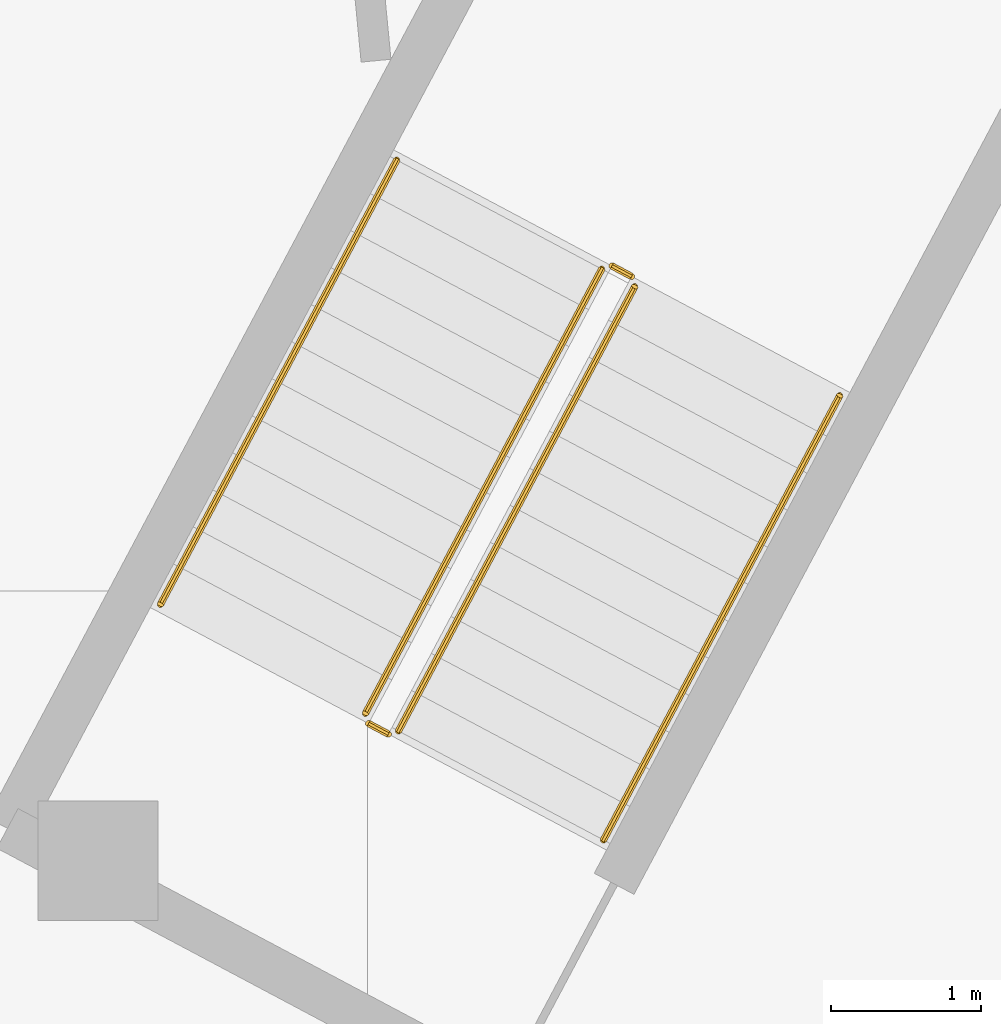
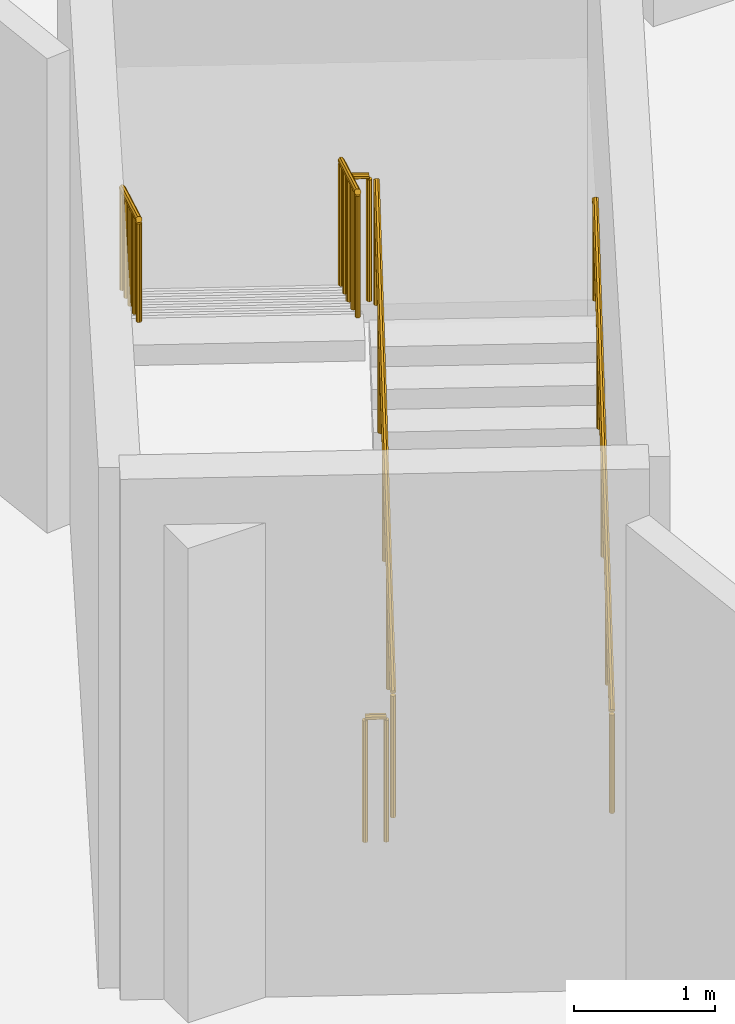
# One storey, part 26 of 29: 6 railings.
"""IFC4 building model written with IfcOpenShell, lengths in metres."""

from ifc_helpers import new_model, si_unit, direction, frame, origin, place, context, subcontext, project, spatial, polyline, outline, extrude, material, type_object, element, save


model = new_model("IFC4")

# Units and contexts
model_context = context("Model", 3, precision=1e-05, world=origin(), true_north=direction((0.0, 1.0)))
body_context = subcontext(model_context, "Body", "Model", "MODEL_VIEW")
ifc_project = project(units=[si_unit("LENGTHUNIT", "METRE"), si_unit("AREAUNIT", "SQUARE_METRE"), si_unit("VOLUMEUNIT", "CUBIC_METRE"), si_unit("PLANEANGLEUNIT", "RADIAN"), si_unit("MASSUNIT", "GRAM", prefix="KILO")], contexts=[model_context])

# Site, building, storey
site_placement = place(None, origin())
site = spatial("IfcSite", under=ifc_project, at=site_placement, CompositionType="ELEMENT")
building_placement = place(site_placement, origin())
building = spatial("IfcBuilding", under=site, at=building_placement, Name="Cormorant Relay Tower", CompositionType="ELEMENT")
storey_placement = place(building_placement, frame((0.0, 0.0, -9.0)))
storey = spatial("IfcBuildingStorey", under=building, at=storey_placement, Name="B2", CompositionType="ELEMENT", Elevation=-9.0)

# Railings
ifc_material_1 = material(Name="Steel ASTM A572 Grade 50 (Fy 345 MPa)", Category="steel")
railing_type_1 = type_object("IfcRailingType", Name="Stair guard 1100", PredefinedType="GUARDRAIL", material=ifc_material_1)
railing_1_placement = place(storey_placement, frame((11.007080078125, 45.866455078125, 0.173095703125)))
element("IfcRailing", 1, at=railing_1_placement, inside=storey, type_object=railing_type_1, Name="B2 RN1 stair guard 1", PredefinedType="GUARDRAIL", context=body_context, shape_type="SweptSolid", body=[
    extrude(outline(polyline([(0.022216796875, 0.00927734375), (0.00927734375, 0.022216796875), (-0.00927734375, 0.022216796875), (-0.022216796875, 0.00927734375), (-0.022216796875, -0.00927734375), (-0.00927734375, -0.022216796875), (0.00927734375, -0.022216796875), (0.022216796875, -0.00927734375), (0.022216796875, 0.00927734375)])), frame((0.0, 0.0, 1.076171875), z_axis=(0.399344577991, 0.75103481925, 0.525804724497), x_axis=(-0.88294160794, 0.469482818608, 0.0)), (0.0, 0.0, 1.0), 3.949951171875),
    extrude(outline(polyline([(0.019287109375, 0.008056640625), (0.008056640625, 0.019287109375), (-0.008056640625, 0.019287109375), (-0.019287109375, 0.008056640625), (-0.019287109375, -0.008056640625), (-0.008056640625, -0.019287109375), (0.008056640625, -0.019287109375), (0.019287109375, -0.008056640625), (0.019287109375, 0.008056640625)])), origin(), (0.0, 0.0, 1.0), 1.052001953125),
    extrude(outline(polyline([(0.019287109375, 0.008056640625), (0.008056640625, 0.019287109375), (-0.008056640625, 0.019287109375), (-0.019287109375, 0.008056640625), (-0.019287109375, -0.008056640625), (-0.008056640625, -0.019287109375), (0.008056640625, -0.019287109375), (0.019287109375, -0.008056640625), (0.019287109375, 0.008056640625)])), frame((0.394287109375, 0.74169921875, 0.519287109375)), (0.0, 0.0, 1.0), 1.052001953125),
    extrude(outline(polyline([(0.019287109375, 0.008056640625), (0.008056640625, 0.019287109375), (-0.008056640625, 0.019287109375), (-0.019287109375, 0.008056640625), (-0.019287109375, -0.008056640625), (-0.008056640625, -0.019287109375), (0.008056640625, -0.019287109375), (0.019287109375, -0.008056640625), (0.019287109375, 0.008056640625)])), frame((0.78857421875, 1.4833984375, 1.03857421875)), (0.0, 0.0, 1.0), 1.052001953125),
    extrude(outline(polyline([(0.019287109375, 0.008056640625), (0.008056640625, 0.019287109375), (-0.008056640625, 0.019287109375), (-0.019287109375, 0.008056640625), (-0.019287109375, -0.008056640625), (-0.008056640625, -0.019287109375), (0.008056640625, -0.019287109375), (0.019287109375, -0.008056640625), (0.019287109375, 0.008056640625)])), frame((1.18310546875, 2.224853515625, 1.5576171875)), (0.0, 0.0, 1.0), 1.052001953125),
    extrude(outline(polyline([(0.019287109375, 0.008056640625), (0.008056640625, 0.019287109375), (-0.008056640625, 0.019287109375), (-0.019287109375, 0.008056640625), (-0.019287109375, -0.008056640625), (-0.008056640625, -0.019287109375), (0.008056640625, -0.019287109375), (0.019287109375, -0.008056640625), (0.019287109375, 0.008056640625)])), frame((1.577392578125, 2.966552734375, 2.076904296875)), (0.0, 0.0, 1.0), 1.052001953125),
])
railing_2_placement = place(storey_placement, frame((12.56396484375, 48.900634765625, 2.25)))
element("IfcRailing", 2, at=railing_2_placement, inside=storey, type_object=railing_type_1, Name="B2 RN1 stair guard 2", PredefinedType="GUARDRAIL", context=body_context, shape_type="SweptSolid", body=[
    extrude(outline(polyline([(0.022216796875, 0.00927734375), (0.00927734375, 0.022216796875), (-0.00927734375, 0.022216796875), (-0.022216796875, 0.00927734375), (-0.022216796875, -0.00927734375), (-0.00927734375, -0.022216796875), (0.00927734375, -0.022216796875), (0.022216796875, -0.00927734375), (0.022216796875, 0.00927734375)])), frame((0.0, 0.0, 1.076171875), z_axis=(-0.882757634224, 0.469828648786, 0.0), x_axis=(-0.469828648786, -0.882757634224, 0.0)), (0.0, 0.0, 1.0), 0.150146484375),
    extrude(outline(polyline([(0.019287109375, 0.008056640625), (0.008056640625, 0.019287109375), (-0.008056640625, 0.019287109375), (-0.019287109375, 0.008056640625), (-0.019287109375, -0.008056640625), (-0.008056640625, -0.019287109375), (0.008056640625, -0.019287109375), (0.019287109375, -0.008056640625), (0.019287109375, 0.008056640625)])), origin(), (0.0, 0.0, 1.0), 1.052001953125),
    extrude(outline(polyline([(0.019287109375, 0.008056640625), (0.008056640625, 0.019287109375), (-0.008056640625, 0.019287109375), (-0.019287109375, 0.008056640625), (-0.019287109375, -0.008056640625), (-0.008056640625, -0.019287109375), (0.008056640625, -0.019287109375), (0.019287109375, -0.008056640625), (0.019287109375, 0.008056640625)])), frame((-0.132568359375, 0.070556640625, 0.0)), (0.0, 0.0, 1.0), 1.052001953125),
])
railing_3_placement = place(storey_placement, frame((12.36376953125, 48.950439453125, 2.423095703125)))
element("IfcRailing", 3, at=railing_3_placement, inside=storey, type_object=railing_type_1, Name="B2 RN1 stair guard 3", PredefinedType="GUARDRAIL", context=body_context, shape_type="SweptSolid", body=[
    extrude(outline(polyline([(0.022216796875, 0.00927734375), (0.00927734375, 0.022216796875), (-0.00927734375, 0.022216796875), (-0.022216796875, 0.00927734375), (-0.022216796875, -0.00927734375), (-0.00927734375, -0.022216796875), (0.00927734375, -0.022216796875), (0.022216796875, -0.00927734375), (0.022216796875, 0.00927734375)])), frame((0.0, 0.0, 1.076171875), z_axis=(-0.399326040817, -0.751061762576, 0.525780317169), x_axis=(0.882957622595, -0.46945269911, 0.0)), (0.0, 0.0, 1.0), 3.9501953125),
    extrude(outline(polyline([(0.019287109375, 0.008056640625), (0.008056640625, 0.019287109375), (-0.008056640625, 0.019287109375), (-0.019287109375, 0.008056640625), (-0.019287109375, -0.008056640625), (-0.008056640625, -0.019287109375), (0.008056640625, -0.019287109375), (0.019287109375, -0.008056640625), (0.019287109375, 0.008056640625)])), origin(), (0.0, 0.0, 1.0), 1.052001953125),
    extrude(outline(polyline([(0.019287109375, 0.008056640625), (0.008056640625, 0.019287109375), (-0.008056640625, 0.019287109375), (-0.019287109375, 0.008056640625), (-0.019287109375, -0.008056640625), (-0.008056640625, -0.019287109375), (0.008056640625, -0.019287109375), (0.019287109375, -0.008056640625), (0.019287109375, 0.008056640625)])), frame((-0.394287109375, -0.74169921875, 0.519287109375)), (0.0, 0.0, 1.0), 1.052001953125),
    extrude(outline(polyline([(0.019287109375, 0.008056640625), (0.008056640625, 0.019287109375), (-0.008056640625, 0.019287109375), (-0.019287109375, 0.008056640625), (-0.019287109375, -0.008056640625), (-0.008056640625, -0.019287109375), (0.008056640625, -0.019287109375), (0.019287109375, -0.008056640625), (0.019287109375, 0.008056640625)])), frame((-0.78857421875, -1.4833984375, 1.03857421875)), (0.0, 0.0, 1.0), 1.052001953125),
    extrude(outline(polyline([(0.019287109375, 0.008056640625), (0.008056640625, 0.019287109375), (-0.008056640625, 0.019287109375), (-0.019287109375, 0.008056640625), (-0.019287109375, -0.008056640625), (-0.008056640625, -0.019287109375), (0.008056640625, -0.019287109375), (0.019287109375, -0.008056640625), (0.019287109375, 0.008056640625)])), frame((-1.18310546875, -2.22509765625, 1.5576171875)), (0.0, 0.0, 1.0), 1.052001953125),
    extrude(outline(polyline([(0.019287109375, 0.008056640625), (0.008056640625, 0.019287109375), (-0.008056640625, 0.019287109375), (-0.019287109375, 0.008056640625), (-0.019287109375, -0.008056640625), (-0.008056640625, -0.019287109375), (0.008056640625, -0.019287109375), (0.019287109375, -0.008056640625), (0.019287109375, 0.008056640625)])), frame((-1.577392578125, -2.966796875, 2.076904296875)), (0.0, 0.0, 1.0), 1.052001953125),
])
railing_4_placement = place(storey_placement, frame((10.939453125, 45.845703125, 0.0)))
element("IfcRailing", 4, at=railing_4_placement, inside=storey, type_object=railing_type_1, Name="B2 RN1 stair guard 4", PredefinedType="GUARDRAIL", context=body_context, shape_type="SweptSolid", body=[
    extrude(outline(polyline([(0.022216796875, 0.00927734375), (0.00927734375, 0.022216796875), (-0.00927734375, 0.022216796875), (-0.022216796875, 0.00927734375), (-0.022216796875, -0.00927734375), (-0.00927734375, -0.022216796875), (0.00927734375, -0.022216796875), (0.022216796875, -0.00927734375), (0.022216796875, 0.00927734375)])), frame((0.0, 0.0, 1.076171875), z_axis=(-0.883073525669, 0.469234640946, 0.0), x_axis=(-0.469234640946, -0.883073525669, 0.0)), (0.0, 0.0, 1.0), 0.14990234375),
    extrude(outline(polyline([(0.019287109375, 0.008056640625), (0.008056640625, 0.019287109375), (-0.008056640625, 0.019287109375), (-0.019287109375, 0.008056640625), (-0.019287109375, -0.008056640625), (-0.008056640625, -0.019287109375), (0.008056640625, -0.019287109375), (0.019287109375, -0.008056640625), (0.019287109375, 0.008056640625)])), origin(), (0.0, 0.0, 1.0), 1.052001953125),
    extrude(outline(polyline([(0.019287109375, 0.008056640625), (0.008056640625, 0.019287109375), (-0.008056640625, 0.019287109375), (-0.019287109375, 0.008056640625), (-0.019287109375, -0.008056640625), (-0.008056640625, -0.019287109375), (0.008056640625, -0.019287109375), (0.019287109375, -0.008056640625), (0.019287109375, 0.008056640625)])), frame((-0.13232421875, 0.0703125, 0.0)), (0.0, 0.0, 1.0), 1.052001953125),
])
ifc_material_2 = material(Name="Steel ASTM A572 Grade 50 (Fy 345 MPa)", Category="steel")
railing_type_2 = type_object("IfcRailingType", Name="Stair handrail 900", PredefinedType="HANDRAIL", material=ifc_material_2)
railing_5_placement = place(storey_placement, frame((12.375732421875, 45.138671875, 0.173095703125)))
element("IfcRailing", 5, at=railing_5_placement, inside=storey, type_object=railing_type_2, Name="B2 RN1 stair handrail 1", PredefinedType="HANDRAIL", context=body_context, shape_type="SweptSolid", body=[
    extrude(outline(polyline([(0.022216796875, 0.00927734375), (0.00927734375, 0.022216796875), (-0.00927734375, 0.022216796875), (-0.022216796875, 0.00927734375), (-0.022216796875, -0.00927734375), (-0.00927734375, -0.022216796875), (0.00927734375, -0.022216796875), (0.022216796875, -0.00927734375), (0.022216796875, 0.00927734375)])), frame((0.0, 0.0, 0.8759765625), z_axis=(0.399326040817, 0.751061762576, 0.525780317169), x_axis=(-0.882957622595, 0.46945269911, 0.0)), (0.0, 0.0, 1.0), 3.9501953125),
    extrude(outline(polyline([(0.019287109375, 0.008056640625), (0.008056640625, 0.019287109375), (-0.008056640625, 0.019287109375), (-0.019287109375, 0.008056640625), (-0.019287109375, -0.008056640625), (-0.008056640625, -0.019287109375), (0.008056640625, -0.019287109375), (0.019287109375, -0.008056640625), (0.019287109375, 0.008056640625)])), origin(), (0.0, 0.0, 1.0), 0.851806640625),
    extrude(outline(polyline([(0.019287109375, 0.008056640625), (0.008056640625, 0.019287109375), (-0.008056640625, 0.019287109375), (-0.019287109375, 0.008056640625), (-0.019287109375, -0.008056640625), (-0.008056640625, -0.019287109375), (0.008056640625, -0.019287109375), (0.019287109375, -0.008056640625), (0.019287109375, 0.008056640625)])), frame((0.394287109375, 0.74169921875, 0.519287109375)), (0.0, 0.0, 1.0), 0.851806640625),
    extrude(outline(polyline([(0.019287109375, 0.008056640625), (0.008056640625, 0.019287109375), (-0.008056640625, 0.019287109375), (-0.019287109375, 0.008056640625), (-0.019287109375, -0.008056640625), (-0.008056640625, -0.019287109375), (0.008056640625, -0.019287109375), (0.019287109375, -0.008056640625), (0.019287109375, 0.008056640625)])), frame((0.78857421875, 1.4833984375, 1.03857421875)), (0.0, 0.0, 1.0), 0.851806640625),
    extrude(outline(polyline([(0.019287109375, 0.008056640625), (0.008056640625, 0.019287109375), (-0.008056640625, 0.019287109375), (-0.019287109375, 0.008056640625), (-0.019287109375, -0.008056640625), (-0.008056640625, -0.019287109375), (0.008056640625, -0.019287109375), (0.019287109375, -0.008056640625), (0.019287109375, 0.008056640625)])), frame((1.18310546875, 2.22509765625, 1.5576171875)), (0.0, 0.0, 1.0), 0.851806640625),
    extrude(outline(polyline([(0.019287109375, 0.008056640625), (0.008056640625, 0.019287109375), (-0.008056640625, 0.019287109375), (-0.019287109375, 0.008056640625), (-0.019287109375, -0.008056640625), (-0.008056640625, -0.019287109375), (0.008056640625, -0.019287109375), (0.019287109375, -0.008056640625), (0.019287109375, 0.008056640625)])), frame((1.577392578125, 2.966796875, 2.076904296875)), (0.0, 0.0, 1.0), 0.851806640625),
])
railing_6_placement = place(storey_placement, frame((10.9951171875, 49.67822265625, 2.423095703125)))
element("IfcRailing", 6, at=railing_6_placement, inside=storey, type_object=railing_type_2, Name="B2 RN1 stair handrail 2", PredefinedType="HANDRAIL", context=body_context, shape_type="SweptSolid", body=[
    extrude(outline(polyline([(0.022216796875, 0.00927734375), (0.00927734375, 0.022216796875), (-0.00927734375, 0.022216796875), (-0.022216796875, 0.00927734375), (-0.022216796875, -0.00927734375), (-0.00927734375, -0.022216796875), (0.00927734375, -0.022216796875), (0.022216796875, -0.00927734375), (0.022216796875, 0.00927734375)])), frame((0.0, 0.0, 0.8759765625), z_axis=(-0.399326040817, -0.751061762576, 0.525780317169), x_axis=(0.882957622595, -0.46945269911, 0.0)), (0.0, 0.0, 1.0), 3.9501953125),
    extrude(outline(polyline([(0.019287109375, 0.008056640625), (0.008056640625, 0.019287109375), (-0.008056640625, 0.019287109375), (-0.019287109375, 0.008056640625), (-0.019287109375, -0.008056640625), (-0.008056640625, -0.019287109375), (0.008056640625, -0.019287109375), (0.019287109375, -0.008056640625), (0.019287109375, 0.008056640625)])), origin(), (0.0, 0.0, 1.0), 0.851806640625),
    extrude(outline(polyline([(0.019287109375, 0.008056640625), (0.008056640625, 0.019287109375), (-0.008056640625, 0.019287109375), (-0.019287109375, 0.008056640625), (-0.019287109375, -0.008056640625), (-0.008056640625, -0.019287109375), (0.008056640625, -0.019287109375), (0.019287109375, -0.008056640625), (0.019287109375, 0.008056640625)])), frame((-0.394287109375, -0.74169921875, 0.519287109375)), (0.0, 0.0, 1.0), 0.851806640625),
    extrude(outline(polyline([(0.019287109375, 0.008056640625), (0.008056640625, 0.019287109375), (-0.008056640625, 0.019287109375), (-0.019287109375, 0.008056640625), (-0.019287109375, -0.008056640625), (-0.008056640625, -0.019287109375), (0.008056640625, -0.019287109375), (0.019287109375, -0.008056640625), (0.019287109375, 0.008056640625)])), frame((-0.78857421875, -1.4833984375, 1.03857421875)), (0.0, 0.0, 1.0), 0.851806640625),
    extrude(outline(polyline([(0.019287109375, 0.008056640625), (0.008056640625, 0.019287109375), (-0.008056640625, 0.019287109375), (-0.019287109375, 0.008056640625), (-0.019287109375, -0.008056640625), (-0.008056640625, -0.019287109375), (0.008056640625, -0.019287109375), (0.019287109375, -0.008056640625), (0.019287109375, 0.008056640625)])), frame((-1.18310546875, -2.22509765625, 1.5576171875)), (0.0, 0.0, 1.0), 0.851806640625),
    extrude(outline(polyline([(0.019287109375, 0.008056640625), (0.008056640625, 0.019287109375), (-0.008056640625, 0.019287109375), (-0.019287109375, 0.008056640625), (-0.019287109375, -0.008056640625), (-0.008056640625, -0.019287109375), (0.008056640625, -0.019287109375), (0.019287109375, -0.008056640625), (0.019287109375, 0.008056640625)])), frame((-1.577392578125, -2.966796875, 2.076904296875)), (0.0, 0.0, 1.0), 0.851806640625),
])

save(model, "model.ifc")
